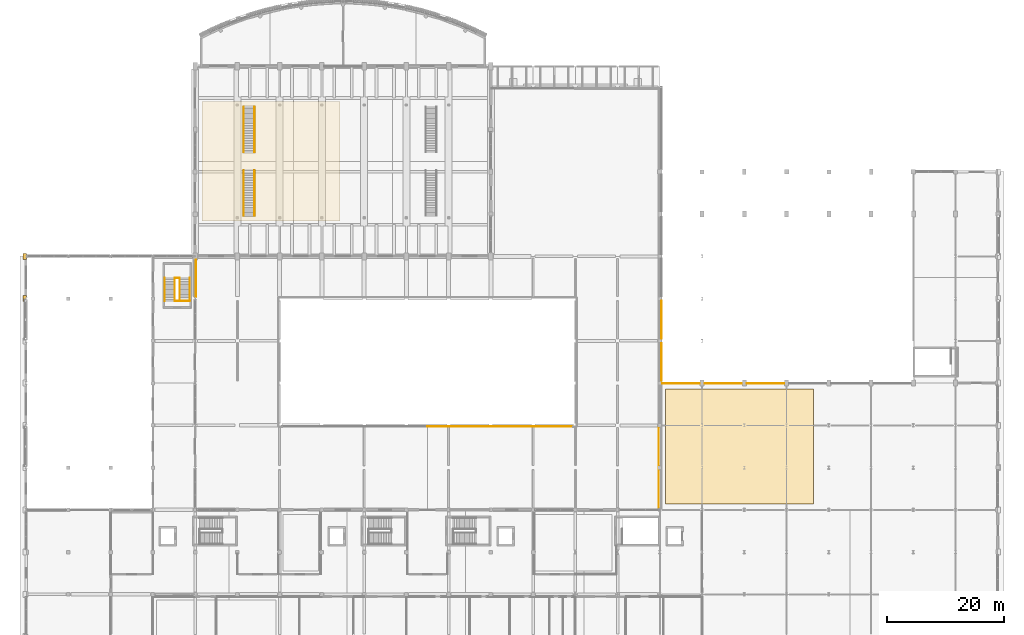
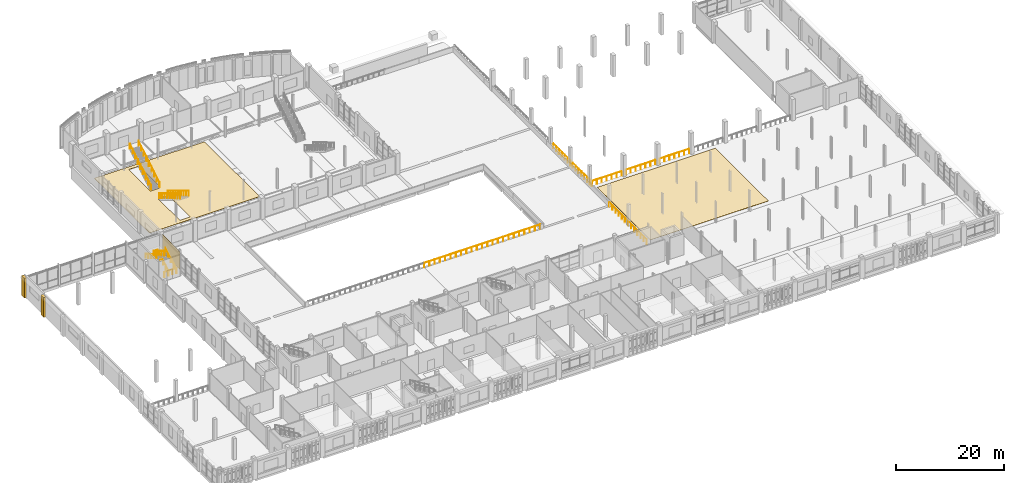
# One storey, part 73 of 82: 16 railings, 5 coverings.
"""IFC4 building model written with IfcOpenShell, lengths in metres."""

from ifc_helpers import new_model, si_unit, direction, frame, frame_2d, origin, origin_2d, place, context, subcontext, project, spatial, polyline, rectangle, circle, outline, extrude, material, layer, layer_set, type_object, element, save


model = new_model("IFC4")

# Units and contexts
model_context = context("Model", 3, precision=1e-05, world=origin(), true_north=direction((0.0, 1.0)))
body_context = subcontext(model_context, "Body", "Model", "MODEL_VIEW")
ifc_project = project(units=[si_unit("LENGTHUNIT", "METRE"), si_unit("AREAUNIT", "SQUARE_METRE"), si_unit("VOLUMEUNIT", "CUBIC_METRE"), si_unit("PLANEANGLEUNIT", "RADIAN"), si_unit("MASSUNIT", "GRAM", prefix="KILO")], contexts=[model_context])

# Site, building, storey
site_placement = place(None, origin())
site = spatial("IfcSite", under=ifc_project, at=site_placement, CompositionType="ELEMENT")
building_placement = place(site_placement, origin())
building = spatial("IfcBuilding", under=site, at=building_placement, Name="Sardonyx Promenade Sports Hall", CompositionType="ELEMENT")
storey_placement = place(building_placement, frame((0.0, 0.0, 11.199951171875)))
storey = spatial("IfcBuildingStorey", under=building, at=storey_placement, Name="L02", CompositionType="ELEMENT", Elevation=11.199951171875)

# Coverings
ifc_material_1 = material(Name="Dressed Cape red sandstone ashlar", Category="masonry")
ifc_layer_1 = layer(ifc_material_1, 0.06005859375)
ifc_layer_set_1 = layer_set([ifc_layer_1], Name="Cov_Cladding_Sandstone")
covering_type_1 = type_object("IfcCoveringType", Name="Cov_Cladding_Sandstone", PredefinedType="CLADDING", material=ifc_layer_set_1)
covering_1_placement = place(storey_placement, frame((28.965087890625, 71.4150390625, 0.050048828125), z_axis=(0.0, 0.0, 1.0), x_axis=(0.0, -1.0, 0.0)))
element("IfcCovering", 1, at=covering_1_placement, inside=storey, type_object=covering_type_1, Name="Dressed sandstone ashlar cladding L02 #227", PredefinedType="CLADDING", context=body_context, shape_type="SweptSolid", body=[
    extrude(rectangle(XDim=6.41015625, YDim=0.050048828125, at=frame_2d((3.205078125, 0.0))), origin(), (0.0, 0.0, 1.0), 3.985107421875),
])
covering_2_placement = place(storey_placement, origin())
element("IfcCovering", 2, at=covering_2_placement, inside=storey, type_object=covering_type_1, Name="West sandstone pier casing L02 #9", PredefinedType="CLADDING", context=body_context, shape_type="SweptSolid", body=[
    extrude(outline(polyline([(-0.5, 64.280029296875), (0.02001953125, 64.280029296875), (0.02001953125, 65.320068359375), (-0.5, 65.320068359375), (-0.5, 64.280029296875)])), origin(), (0.0, 0.0, 1.0), 4.449951171875),
])
covering_3_placement = place(storey_placement, origin())
element("IfcCovering", 3, at=covering_3_placement, inside=storey, type_object=covering_type_1, Name="West sandstone pier casing L02 #10", PredefinedType="CLADDING", context=body_context, shape_type="SweptSolid", body=[
    extrude(outline(polyline([(-0.5, 71.47998046875), (0.02001953125, 71.47998046875), (0.02001953125, 72.52001953125), (-0.5, 72.52001953125), (-0.5, 71.47998046875)])), origin(), (0.0, 0.0, 1.0), 4.449951171875),
])
ifc_material_2 = material(Name="FIBA Grade 1 sprung maple hardwood court flooring", Category="wood")
ifc_layer_2 = layer(ifc_material_2, 0.044921875)
ifc_layer_set_2 = layer_set([ifc_layer_2], Name="Cov_Floor_Maple")
covering_type_2 = type_object("IfcCoveringType", Name="Cov_Floor_Maple", PredefinedType="FLOORING", material=ifc_layer_set_2)
covering_4_placement = place(storey_placement, origin())
element("IfcCovering", 4, at=covering_4_placement, inside=storey, type_object=covering_type_2, Name="Athletic flooring FLR1 L02 #5", PredefinedType="FLOORING", context=body_context, shape_type="SweptSolid", body=[
    extrude(outline(polyline([(30.0, 98.39990234375), (30.0, 78.0), (53.5, 78.0), (53.5, 98.39990234375), (30.0, 98.39990234375)]), holes=[polyline([(39.10009765625, 86.764892578125), (39.10009765625, 78.77001953125), (36.89990234375, 78.77001953125), (36.89990234375, 86.764892578125), (39.10009765625, 86.764892578125)]), polyline([(39.10009765625, 97.6298828125), (39.10009765625, 89.635009765625), (36.89990234375, 89.635009765625), (36.89990234375, 97.6298828125), (39.10009765625, 97.6298828125)])]), origin(), (0.0, 0.0, 1.0), 0.045166015625),
])
covering_5_placement = place(storey_placement, origin())
element("IfcCovering", 5, at=covering_5_placement, inside=storey, type_object=covering_type_2, Name="Athletic flooring FLR1 L02 #9", PredefinedType="FLOORING", context=body_context, shape_type="SweptSolid", body=[
    extrude(outline(polyline([(109.0, 29.800048828125), (134.199951171875, 29.800048828125), (134.199951171875, 49.39990234375), (109.0, 49.39990234375), (109.0, 29.800048828125)])), origin(), (0.0, 0.0, 1.0), 0.045166015625),
])

# Railings
ifc_material_3 = material(Name="Galvanised and powder-coated Steel S355JR", Category="steel")
railing_type_1 = type_object("IfcRailingType", Name="Rail_Ext_Guard_1100", PredefinedType="GUARDRAIL", material=ifc_material_3)
for number, where, name in (
    (6, (68.39990234375, 43.0, 0.0), "Terrace guardrail GR01 L02 #4"),
    (7, (80.77490234375, 43.0, 0.0), "Terrace guardrail GR01 L02 #5"),
):
    element("IfcRailing", number, at=place(storey_placement, frame(where)), inside=storey, type_object=railing_type_1, Name=name, PredefinedType="GUARDRAIL", context=body_context, shape_type="SweptSolid", body=[
        extrude(circle(Radius=0.02392578125, at=origin_2d()), frame((0.0, 0.0, 1.0810546875), z_axis=(1.0, 0.0, 0.0), x_axis=(0.0, 1.0, 0.0)), (0.0, 0.0, 1.0), 12.375),
        extrude(circle(Radius=0.02099609375, at=origin_2d()), origin(), (0.0, 0.0, 1.0), 1.056884765625),
        extrude(circle(Radius=0.02099609375, at=origin_2d()), frame((1.125, 0.0, 0.0)), (0.0, 0.0, 1.0), 1.056884765625),
        extrude(circle(Radius=0.02099609375, at=origin_2d()), frame((2.25, 0.0, 0.0)), (0.0, 0.0, 1.0), 1.056884765625),
        extrude(circle(Radius=0.02099609375, at=origin_2d()), frame((3.375, 0.0, 0.0)), (0.0, 0.0, 1.0), 1.056884765625),
        extrude(circle(Radius=0.02099609375, at=origin_2d()), frame((4.5, 0.0, 0.0)), (0.0, 0.0, 1.0), 1.056884765625),
        extrude(circle(Radius=0.02099609375, at=origin_2d()), frame((5.625, 0.0, 0.0)), (0.0, 0.0, 1.0), 1.056884765625),
        extrude(circle(Radius=0.02099609375, at=origin_2d()), frame((6.75, 0.0, 0.0)), (0.0, 0.0, 1.0), 1.056884765625),
        extrude(circle(Radius=0.02099609375, at=origin_2d()), frame((7.875, 0.0, 0.0)), (0.0, 0.0, 1.0), 1.056884765625),
        extrude(circle(Radius=0.02099609375, at=origin_2d()), frame((9.0, 0.0, 0.0)), (0.0, 0.0, 1.0), 1.056884765625),
        extrude(circle(Radius=0.02099609375, at=origin_2d()), frame((10.125, 0.0, 0.0)), (0.0, 0.0, 1.0), 1.056884765625),
        extrude(circle(Radius=0.02099609375, at=origin_2d()), frame((11.25, 0.0, 0.0)), (0.0, 0.0, 1.0), 1.056884765625),
        extrude(circle(Radius=0.02099609375, at=origin_2d()), frame((12.375, 0.0, 0.0)), (0.0, 0.0, 1.0), 1.056884765625),
    ])
railing_1_placement = place(storey_placement, frame((107.800048828125, 42.800048828125, 0.0)))
element("IfcRailing", 8, at=railing_1_placement, inside=storey, type_object=railing_type_1, Name="Terrace guardrail GR01 L02 #6", PredefinedType="GUARDRAIL", context=body_context, shape_type="SweptSolid", body=[
    extrude(circle(Radius=0.02392578125, at=origin_2d()), frame((0.0, 0.0, 1.0810546875), z_axis=(0.0, -1.0, 0.0), x_axis=(1.0, 0.0, 0.0)), (0.0, 0.0, 1.0), 13.800048828125),
    extrude(circle(Radius=0.02099609375, at=origin_2d()), origin(), (0.0, 0.0, 1.0), 1.056884765625),
    extrude(circle(Radius=0.02099609375, at=origin_2d()), frame((0.0, -1.14990234375, 0.0)), (0.0, 0.0, 1.0), 1.056884765625),
    extrude(circle(Radius=0.02099609375, at=origin_2d()), frame((0.0, -2.300048828125, 0.0)), (0.0, 0.0, 1.0), 1.056884765625),
    extrude(circle(Radius=0.02099609375, at=origin_2d()), frame((0.0, -3.449951171875, 0.0)), (0.0, 0.0, 1.0), 1.056884765625),
    extrude(circle(Radius=0.02099609375, at=origin_2d()), frame((0.0, -4.60009765625, 0.0)), (0.0, 0.0, 1.0), 1.056884765625),
    extrude(circle(Radius=0.02099609375, at=origin_2d()), frame((0.0, -5.75, 0.0)), (0.0, 0.0, 1.0), 1.056884765625),
    extrude(circle(Radius=0.02099609375, at=origin_2d()), frame((0.0, -6.89990234375, 0.0)), (0.0, 0.0, 1.0), 1.056884765625),
    extrude(circle(Radius=0.02099609375, at=origin_2d()), frame((0.0, -8.050048828125, 0.0)), (0.0, 0.0, 1.0), 1.056884765625),
    extrude(circle(Radius=0.02099609375, at=origin_2d()), frame((0.0, -9.199951171875, 0.0)), (0.0, 0.0, 1.0), 1.056884765625),
    extrude(circle(Radius=0.02099609375, at=origin_2d()), frame((0.0, -10.35009765625, 0.0)), (0.0, 0.0, 1.0), 1.056884765625),
    extrude(circle(Radius=0.02099609375, at=origin_2d()), frame((0.0, -11.5, 0.0)), (0.0, 0.0, 1.0), 1.056884765625),
    extrude(circle(Radius=0.02099609375, at=origin_2d()), frame((0.0, -12.650146484375, 0.0)), (0.0, 0.0, 1.0), 1.056884765625),
    extrude(circle(Radius=0.02099609375, at=origin_2d()), frame((0.0, -13.800048828125, 0.0)), (0.0, 0.0, 1.0), 1.056884765625),
])
ifc_material_4 = material(Name="Powder-coated Steel S355JR", Category="steel")
railing_type_2 = type_object("IfcRailingType", Name="Rail_Int_Guard_1100", PredefinedType="GUARDRAIL", material=ifc_material_4)
railing_2_placement = place(storey_placement, frame((27.905029296875, 64.409912109375, 0.0)))
element("IfcRailing", 9, at=railing_2_placement, inside=storey, type_object=railing_type_2, Name="Stair floor-edge guard ST7 L02", PredefinedType="GUARDRAIL", context=body_context, shape_type="SweptSolid", body=[
    extrude(circle(Radius=0.02392578125, at=origin_2d()), frame((0.0, 0.0, 1.09619140625), z_axis=(-1.0, 0.0, 0.0), x_axis=(0.0, -1.0, 0.0)), (0.0, 0.0, 1.0), 2.570068359375),
    extrude(circle(Radius=0.02392578125, at=origin_2d()), frame((-2.570068359375, 0.0, 1.09619140625), z_axis=(0.0, -1.0, 0.0), x_axis=(1.0, 0.0, 0.0)), (0.0, 0.0, 1.0), 0.010009765625),
    extrude(circle(Radius=0.02099609375, at=origin_2d()), origin(), (0.0, 0.0, 1.0), 1.072021484375),
    extrude(circle(Radius=0.02099609375, at=origin_2d()), frame((-0.856689453125, 0.0, 0.0)), (0.0, 0.0, 1.0), 1.072021484375),
    extrude(circle(Radius=0.02099609375, at=origin_2d()), frame((-1.71337890625, 0.0, 0.0)), (0.0, 0.0, 1.0), 1.072021484375),
    extrude(circle(Radius=0.02099609375, at=origin_2d()), frame((-2.570068359375, 0.0, 0.0)), (0.0, 0.0, 1.0), 1.072021484375),
    extrude(circle(Radius=0.02099609375, at=origin_2d()), frame((-2.570068359375, -0.010009765625, 0.0)), (0.0, 0.0, 1.0), 1.072021484375),
])
railing_3_placement = place(storey_placement, frame((26.1650390625, 64.39990234375, 0.16015625)))
element("IfcRailing", 10, at=railing_3_placement, inside=storey, type_object=railing_type_2, Name="Stair inner well guard ST7 L02", PredefinedType="GUARDRAIL", context=body_context, shape_type="SweptSolid", body=[
    extrude(circle(Radius=0.02392578125, at=origin_2d()), frame((0.0, 0.0, 1.09619140625), z_axis=(0.0, 0.867155422901, 0.498037621604), x_axis=(-1.0, 0.0, 0.0)), (0.0, 0.0, 1.0), 4.49755859375),
    extrude(circle(Radius=0.02392578125, at=origin_2d()), frame((0.0, 3.900146484375, 3.3359375), z_axis=(-1.0, 0.0, 0.0), x_axis=(0.0, -1.0, 0.0)), (0.0, 0.0, 1.0), 0.830078125),
    extrude(circle(Radius=0.02392578125, at=origin_2d()), frame((-0.830078125, 3.900146484375, 3.3359375), z_axis=(0.0, -0.851676621109, 0.524067679844), x_axis=(1.0, 0.0, 0.0)), (0.0, 0.0, 1.0), 4.579345703125),
    extrude(circle(Radius=0.02099609375, at=origin_2d()), origin(), (0.0, 0.0, 1.0), 1.072021484375),
    extrude(circle(Radius=0.02099609375, at=origin_2d()), frame((0.0, 0.97509765625, 0.56005859375)), (0.0, 0.0, 1.0), 1.072021484375),
    extrude(circle(Radius=0.02099609375, at=origin_2d()), frame((0.0, 1.9501953125, 1.1201171875)), (0.0, 0.0, 1.0), 1.072021484375),
    extrude(circle(Radius=0.02099609375, at=origin_2d()), frame((0.0, 2.925048828125, 1.679931640625)), (0.0, 0.0, 1.0), 1.072021484375),
    extrude(circle(Radius=0.02099609375, at=origin_2d()), frame((0.0, 3.900146484375, 2.239990234375)), (0.0, 0.0, 1.0), 1.072021484375),
    extrude(circle(Radius=0.02099609375, at=origin_2d()), frame((-0.830078125, 3.900146484375, 2.239990234375)), (0.0, 0.0, 1.0), 1.072021484375),
    extrude(circle(Radius=0.02099609375, at=origin_2d()), frame((-0.830078125, 2.925048828125, 2.83984375)), (0.0, 0.0, 1.0), 1.072021484375),
    extrude(circle(Radius=0.02099609375, at=origin_2d()), frame((-0.830078125, 1.9501953125, 3.43994140625)), (0.0, 0.0, 1.0), 1.072021484375),
    extrude(circle(Radius=0.02099609375, at=origin_2d()), frame((-0.830078125, 0.97509765625, 4.0400390625)), (0.0, 0.0, 1.0), 1.072021484375),
    extrude(circle(Radius=0.02099609375, at=origin_2d()), frame((-0.830078125, 0.0, 4.639892578125)), (0.0, 0.0, 1.0), 1.072021484375),
])
for number, where, name in (
    (11, (37.090087890625, 86.614990234375, 0.17138671875), "Feature stair guard STV1 L"),
    (12, (38.909912109375, 86.614990234375, 0.17138671875), "Feature stair guard STV1 R"),
):
    element("IfcRailing", number, at=place(storey_placement, frame(where)), inside=storey, type_object=railing_type_2, Name=name, PredefinedType="GUARDRAIL", context=body_context, shape_type="SweptSolid", body=[
        extrude(circle(Radius=0.02392578125, at=origin_2d()), frame((0.0, 0.0, 1.09619140625), z_axis=(0.0, -0.856921461139, 0.515446999642), x_axis=(1.0, 0.0, 0.0)), (0.0, 0.0, 1.0), 8.97998046875),
        extrude(circle(Radius=0.02099609375, at=origin_2d()), origin(), (0.0, 0.0, 1.0), 1.072021484375),
        extrude(circle(Radius=0.02099609375, at=origin_2d()), frame((0.0, -0.9619140625, 0.57861328125)), (0.0, 0.0, 1.0), 1.072021484375),
        extrude(circle(Radius=0.02099609375, at=origin_2d()), frame((0.0, -1.923828125, 1.1572265625)), (0.0, 0.0, 1.0), 1.072021484375),
        extrude(circle(Radius=0.02099609375, at=origin_2d()), frame((0.0, -2.8857421875, 1.73583984375)), (0.0, 0.0, 1.0), 1.072021484375),
        extrude(circle(Radius=0.02099609375, at=origin_2d()), frame((0.0, -3.84765625, 2.314453125)), (0.0, 0.0, 1.0), 1.072021484375),
        extrude(circle(Radius=0.02099609375, at=origin_2d()), frame((0.0, -4.809326171875, 2.892822265625)), (0.0, 0.0, 1.0), 1.072021484375),
        extrude(circle(Radius=0.02099609375, at=origin_2d()), frame((0.0, -5.771240234375, 3.471435546875)), (0.0, 0.0, 1.0), 1.072021484375),
        extrude(circle(Radius=0.02099609375, at=origin_2d()), frame((0.0, -6.733154296875, 4.050048828125)), (0.0, 0.0, 1.0), 1.072021484375),
        extrude(circle(Radius=0.02099609375, at=origin_2d()), frame((0.0, -7.695068359375, 4.628662109375)), (0.0, 0.0, 1.0), 1.072021484375),
    ])
for number, where, name in (
    (13, (38.909912109375, 89.784912109375, 0.17138671875), "Feature stair guard STV3 L"),
    (14, (37.090087890625, 89.784912109375, 0.17138671875), "Feature stair guard STV3 R"),
):
    element("IfcRailing", number, at=place(storey_placement, frame(where)), inside=storey, type_object=railing_type_2, Name=name, PredefinedType="GUARDRAIL", context=body_context, shape_type="SweptSolid", body=[
        extrude(circle(Radius=0.02392578125, at=origin_2d()), frame((0.0, 0.0, 1.09619140625), z_axis=(0.0, 0.856921461139, 0.515446999642), x_axis=(-1.0, 0.0, 0.0)), (0.0, 0.0, 1.0), 8.97998046875),
        extrude(circle(Radius=0.02099609375, at=origin_2d()), origin(), (0.0, 0.0, 1.0), 1.072021484375),
        extrude(circle(Radius=0.02099609375, at=origin_2d()), frame((0.0, 0.9619140625, 0.57861328125)), (0.0, 0.0, 1.0), 1.072021484375),
        extrude(circle(Radius=0.02099609375, at=origin_2d()), frame((0.0, 1.923828125, 1.1572265625)), (0.0, 0.0, 1.0), 1.072021484375),
        extrude(circle(Radius=0.02099609375, at=origin_2d()), frame((0.0, 2.8857421875, 1.73583984375)), (0.0, 0.0, 1.0), 1.072021484375),
        extrude(circle(Radius=0.02099609375, at=origin_2d()), frame((0.0, 3.84765625, 2.314453125)), (0.0, 0.0, 1.0), 1.072021484375),
        extrude(circle(Radius=0.02099609375, at=origin_2d()), frame((0.0, 4.809326171875, 2.892822265625)), (0.0, 0.0, 1.0), 1.072021484375),
        extrude(circle(Radius=0.02099609375, at=origin_2d()), frame((0.0, 5.771240234375, 3.471435546875)), (0.0, 0.0, 1.0), 1.072021484375),
        extrude(circle(Radius=0.02099609375, at=origin_2d()), frame((0.0, 6.733154296875, 4.050048828125)), (0.0, 0.0, 1.0), 1.072021484375),
        extrude(circle(Radius=0.02099609375, at=origin_2d()), frame((0.0, 7.695068359375, 4.628662109375)), (0.0, 0.0, 1.0), 1.072021484375),
    ])
railing_4_placement = place(storey_placement, frame((129.14990234375, 50.330078125, 0.0)))
element("IfcRailing", 15, at=railing_4_placement, inside=storey, type_object=railing_type_2, Name="Deck-edge guardrail GR02 L02 #38", PredefinedType="GUARDRAIL", context=body_context, shape_type="SweptSolid", body=[
    extrude(circle(Radius=0.02392578125, at=origin_2d()), frame((0.0, 0.0, 1.09619140625), z_axis=(-1.0, 0.0, 0.0), x_axis=(0.0, -1.0, 0.0)), (0.0, 0.0, 1.0), 6.2998046875),
    extrude(circle(Radius=0.02099609375, at=origin_2d()), origin(), (0.0, 0.0, 1.0), 1.072021484375),
    extrude(circle(Radius=0.02099609375, at=origin_2d()), frame((-1.050048828125, 0.0, 0.0)), (0.0, 0.0, 1.0), 1.072021484375),
    extrude(circle(Radius=0.02099609375, at=origin_2d()), frame((-2.099853515625, 0.0, 0.0)), (0.0, 0.0, 1.0), 1.072021484375),
    extrude(circle(Radius=0.02099609375, at=origin_2d()), frame((-3.14990234375, 0.0, 0.0)), (0.0, 0.0, 1.0), 1.072021484375),
    extrude(circle(Radius=0.02099609375, at=origin_2d()), frame((-4.199951171875, 0.0, 0.0)), (0.0, 0.0, 1.0), 1.072021484375),
    extrude(circle(Radius=0.02099609375, at=origin_2d()), frame((-5.249755859375, 0.0, 0.0)), (0.0, 0.0, 1.0), 1.072021484375),
    extrude(circle(Radius=0.02099609375, at=origin_2d()), frame((-6.2998046875, 0.0, 0.0)), (0.0, 0.0, 1.0), 1.072021484375),
])
railing_5_placement = place(storey_placement, frame((121.949951171875, 50.330078125, 0.0)))
element("IfcRailing", 16, at=railing_5_placement, inside=storey, type_object=railing_type_2, Name="Deck-edge guardrail GR02 L02 #39", PredefinedType="GUARDRAIL", context=body_context, shape_type="SweptSolid", body=[
    extrude(circle(Radius=0.02392578125, at=origin_2d()), frame((0.0, 0.0, 1.09619140625), z_axis=(-1.0, 0.0, 0.0), x_axis=(0.0, -1.0, 0.0)), (0.0, 0.0, 1.0), 6.300048828125),
    extrude(circle(Radius=0.02099609375, at=origin_2d()), origin(), (0.0, 0.0, 1.0), 1.072021484375),
    extrude(circle(Radius=0.02099609375, at=origin_2d()), frame((-1.050048828125, 0.0, 0.0)), (0.0, 0.0, 1.0), 1.072021484375),
    extrude(circle(Radius=0.02099609375, at=origin_2d()), frame((-2.10009765625, 0.0, 0.0)), (0.0, 0.0, 1.0), 1.072021484375),
    extrude(circle(Radius=0.02099609375, at=origin_2d()), frame((-3.14990234375, 0.0, 0.0)), (0.0, 0.0, 1.0), 1.072021484375),
    extrude(circle(Radius=0.02099609375, at=origin_2d()), frame((-4.199951171875, 0.0, 0.0)), (0.0, 0.0, 1.0), 1.072021484375),
    extrude(circle(Radius=0.02099609375, at=origin_2d()), frame((-5.25, 0.0, 0.0)), (0.0, 0.0, 1.0), 1.072021484375),
    extrude(circle(Radius=0.02099609375, at=origin_2d()), frame((-6.300048828125, 0.0, 0.0)), (0.0, 0.0, 1.0), 1.072021484375),
])
railing_6_placement = place(storey_placement, frame((114.75, 50.330078125, 0.0)))
element("IfcRailing", 17, at=railing_6_placement, inside=storey, type_object=railing_type_2, Name="Deck-edge guardrail GR02 L02 #40", PredefinedType="GUARDRAIL", context=body_context, shape_type="SweptSolid", body=[
    extrude(circle(Radius=0.02392578125, at=origin_2d()), frame((0.0, 0.0, 1.09619140625), z_axis=(-1.0, 0.0, 0.0), x_axis=(0.0, -1.0, 0.0)), (0.0, 0.0, 1.0), 6.35009765625),
    extrude(circle(Radius=0.02099609375, at=origin_2d()), origin(), (0.0, 0.0, 1.0), 1.072021484375),
    extrude(circle(Radius=0.02099609375, at=origin_2d()), frame((-1.058349609375, 0.0, 0.0)), (0.0, 0.0, 1.0), 1.072021484375),
    extrude(circle(Radius=0.02099609375, at=origin_2d()), frame((-2.11669921875, 0.0, 0.0)), (0.0, 0.0, 1.0), 1.072021484375),
    extrude(circle(Radius=0.02099609375, at=origin_2d()), frame((-3.175048828125, 0.0, 0.0)), (0.0, 0.0, 1.0), 1.072021484375),
    extrude(circle(Radius=0.02099609375, at=origin_2d()), frame((-4.2333984375, 0.0, 0.0)), (0.0, 0.0, 1.0), 1.072021484375),
    extrude(circle(Radius=0.02099609375, at=origin_2d()), frame((-5.291748046875, 0.0, 0.0)), (0.0, 0.0, 1.0), 1.072021484375),
    extrude(circle(Radius=0.02099609375, at=origin_2d()), frame((-6.35009765625, 0.0, 0.0)), (0.0, 0.0, 1.0), 1.072021484375),
])
for number, where, name in (
    (18, (108.280029296875, 50.800048828125, 0.0), "Deck-edge guardrail GR02 L02 #41"),
    (19, (108.280029296875, 58.0, 0.0), "Deck-edge guardrail GR02 L02 #42"),
):
    element("IfcRailing", number, at=place(storey_placement, frame(where)), inside=storey, type_object=railing_type_2, Name=name, PredefinedType="GUARDRAIL", context=body_context, shape_type="SweptSolid", body=[
        extrude(circle(Radius=0.02392578125, at=origin_2d()), frame((0.0, 0.0, 1.09619140625), z_axis=(0.0, 1.0, 0.0), x_axis=(-1.0, 0.0, 0.0)), (0.0, 0.0, 1.0), 6.39990234375),
        extrude(circle(Radius=0.02099609375, at=origin_2d()), origin(), (0.0, 0.0, 1.0), 1.072021484375),
        extrude(circle(Radius=0.02099609375, at=origin_2d()), frame((0.0, 1.066650390625, 0.0)), (0.0, 0.0, 1.0), 1.072021484375),
        extrude(circle(Radius=0.02099609375, at=origin_2d()), frame((0.0, 2.13330078125, 0.0)), (0.0, 0.0, 1.0), 1.072021484375),
        extrude(circle(Radius=0.02099609375, at=origin_2d()), frame((0.0, 3.199951171875, 0.0)), (0.0, 0.0, 1.0), 1.072021484375),
        extrude(circle(Radius=0.02099609375, at=origin_2d()), frame((0.0, 4.2666015625, 0.0)), (0.0, 0.0, 1.0), 1.072021484375),
        extrude(circle(Radius=0.02099609375, at=origin_2d()), frame((0.0, 5.333251953125, 0.0)), (0.0, 0.0, 1.0), 1.072021484375),
        extrude(circle(Radius=0.02099609375, at=origin_2d()), frame((0.0, 6.39990234375, 0.0)), (0.0, 0.0, 1.0), 1.072021484375),
    ])
ifc_material_5 = material(Name="Brushed stainless steel Grade 304", Category="steel")
railing_type_3 = type_object("IfcRailingType", Name="Rail_Int_Handrail_900", PredefinedType="HANDRAIL", material=ifc_material_5)
railing_7_placement = place(storey_placement, frame((27.875, 64.39990234375, 0.16015625)))
element("IfcRailing", 20, at=railing_7_placement, inside=storey, type_object=railing_type_3, Name="Stair handrail ST7 L02 F1", PredefinedType="HANDRAIL", context=body_context, shape_type="SweptSolid", body=[
    extrude(circle(Radius=0.02392578125, at=origin_2d()), frame((0.0, 0.0, 0.8759765625), z_axis=(0.0, 0.86825312469, 0.496121468458), x_axis=(-1.0, 0.0, 0.0)), (0.0, 0.0, 1.0), 4.514892578125),
    extrude(circle(Radius=0.02099609375, at=origin_2d()), origin(), (0.0, 0.0, 1.0), 0.851806640625),
    extrude(circle(Radius=0.02099609375, at=origin_2d()), frame((0.0, 0.97998046875, 0.56005859375)), (0.0, 0.0, 1.0), 0.851806640625),
    extrude(circle(Radius=0.02099609375, at=origin_2d()), frame((0.0, 1.9599609375, 1.1201171875)), (0.0, 0.0, 1.0), 0.851806640625),
    extrude(circle(Radius=0.02099609375, at=origin_2d()), frame((0.0, 2.940185546875, 1.679931640625)), (0.0, 0.0, 1.0), 0.851806640625),
    extrude(circle(Radius=0.02099609375, at=origin_2d()), frame((0.0, 3.920166015625, 2.239990234375)), (0.0, 0.0, 1.0), 0.851806640625),
])
railing_8_placement = place(storey_placement, frame((23.625, 68.320068359375, 2.56005859375)))
element("IfcRailing", 21, at=railing_8_placement, inside=storey, type_object=railing_type_3, Name="Stair handrail ST7 L02 F2", PredefinedType="HANDRAIL", context=body_context, shape_type="SweptSolid", body=[
    extrude(circle(Radius=0.02392578125, at=origin_2d()), frame((0.0, 0.0, 0.8759765625), z_axis=(0.0, -0.86825312469, 0.496121468458), x_axis=(1.0, 0.0, 0.0)), (0.0, 0.0, 1.0), 4.514892578125),
    extrude(circle(Radius=0.02099609375, at=origin_2d()), origin(), (0.0, 0.0, 1.0), 0.851806640625),
    extrude(circle(Radius=0.02099609375, at=origin_2d()), frame((0.0, -0.97998046875, 0.56005859375)), (0.0, 0.0, 1.0), 0.851806640625),
    extrude(circle(Radius=0.02099609375, at=origin_2d()), frame((0.0, -1.9599609375, 1.1201171875)), (0.0, 0.0, 1.0), 0.851806640625),
    extrude(circle(Radius=0.02099609375, at=origin_2d()), frame((0.0, -2.940185546875, 1.679931640625)), (0.0, 0.0, 1.0), 0.851806640625),
    extrude(circle(Radius=0.02099609375, at=origin_2d()), frame((0.0, -3.920166015625, 2.239990234375)), (0.0, 0.0, 1.0), 0.851806640625),
])

save(model, "model.ifc")
